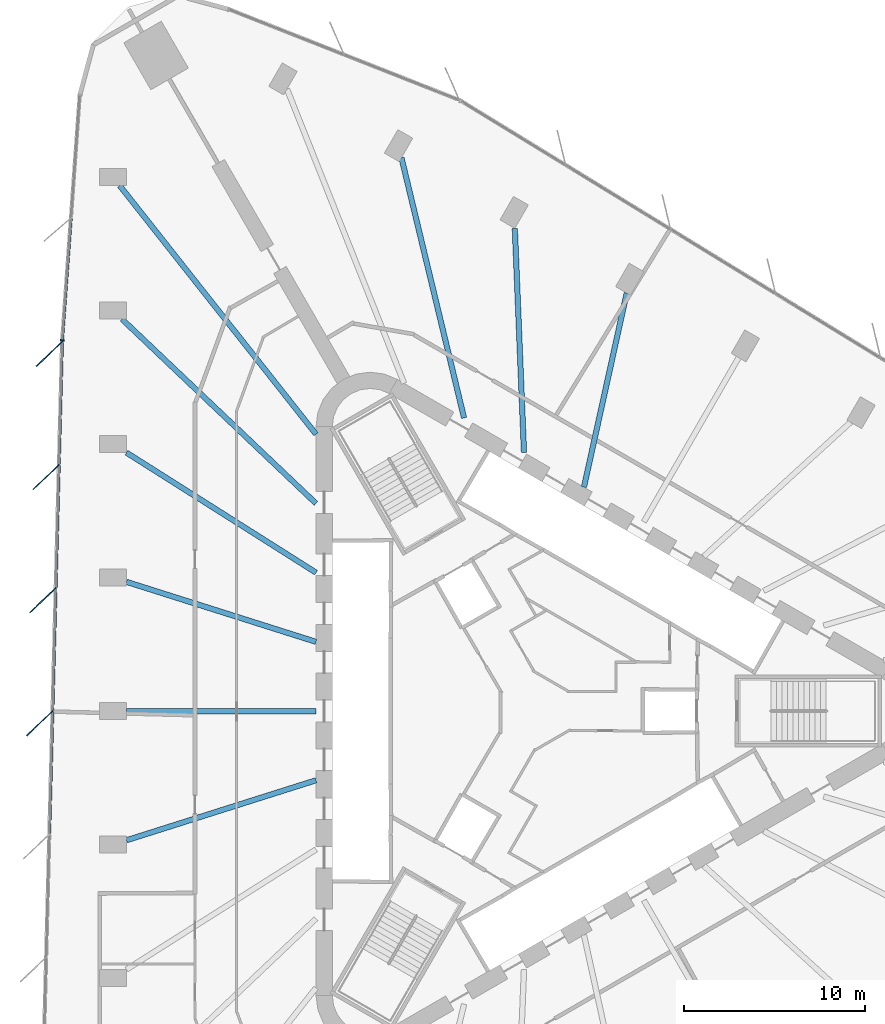
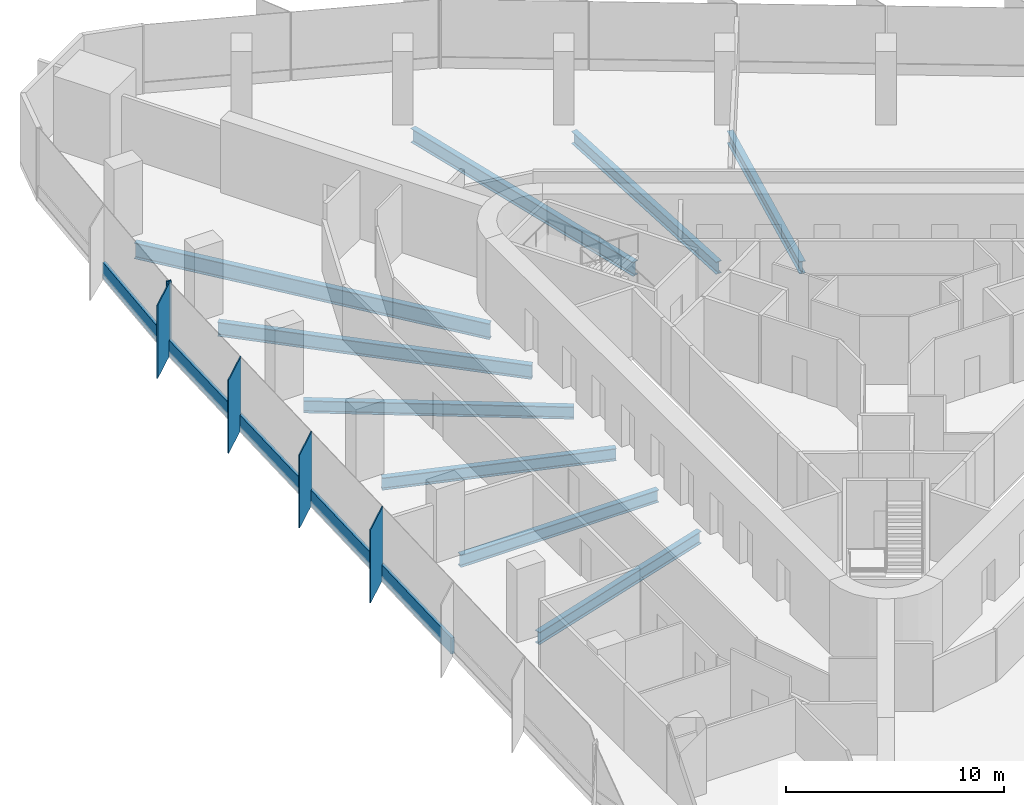
# One storey, part 4 of 13: 10 members, 9 beams, 2 elements without a shape of their own.
"""IFC4 building model written with IfcOpenShell, lengths in metres."""

from ifc_helpers import new_model, si_unit, direction, frame, origin, origin_2d, place, context, subcontext, project, spatial, rectangle, i_section, extrude, material, material_profile, profile_set, type_object, element, aggregate, save


model = new_model("IFC4")

# Units and contexts
model_context = context("Model", 3, precision=1e-05, world=origin(), true_north=direction((0.0, 1.0)))
body_context = subcontext(model_context, "Body", "Model", "MODEL_VIEW")
ifc_project = project(units=[si_unit("LENGTHUNIT", "METRE"), si_unit("AREAUNIT", "SQUARE_METRE"), si_unit("VOLUMEUNIT", "CUBIC_METRE"), si_unit("PLANEANGLEUNIT", "RADIAN"), si_unit("MASSUNIT", "GRAM", prefix="KILO")], contexts=[model_context])

# Site, building, storey
site_placement = place(None, origin())
site = spatial("IfcSite", under=ifc_project, at=site_placement, CompositionType="ELEMENT")
building_placement = place(site_placement, origin())
building = spatial("IfcBuilding", under=site, at=building_placement, Name="Tanit Gate Tower", CompositionType="ELEMENT")
storey_placement = place(building_placement, frame((0.0, 0.0, 61.89990234375)))
storey = spatial("IfcBuildingStorey", under=building, at=storey_placement, Name="L11", CompositionType="ELEMENT", Elevation=61.89990234375)

# Curtain wall, members
ifc_material_1 = material(Name="Aluminium bronze anodised and glass", Category="aluminium")
curtain_wall_type = type_object("IfcCurtainWallType", Name="Curtain wall typical low", PredefinedType="NOTDEFINED", material=ifc_material_1)
curtain_wall_1_placement = place(storey_placement, origin())
curtain_wall_1 = element("IfcCurtainWall", 1, at=curtain_wall_1_placement, inside=storey, type_object=curtain_wall_type, Name="Curtain wall L11 W2", PredefinedType="NOTDEFINED")
ifc_material_2 = material(Name="Aluminium bronze anodised", Category="aluminium")
ifc_material_profile_1 = material_profile(ifc_material_2, rectangle(XDim=2.0, YDim=0.055908203125, at=origin_2d()), Name="56x2000 bronze fin mullion")
ifc_profile_set_1 = profile_set([ifc_material_profile_1], Name="Aluminium bronze anodised")
member_type_1 = type_object("IfcMemberType", Name="FIN MULLION 56x2000 bronze", PredefinedType="MULLION", material=ifc_profile_set_1)
member_1_placement = place(storey_placement, frame((-26.86279296875, 19.77392578125, -0.2998046875), z_axis=(0.0, 0.0, 1.0), x_axis=(0.725200158595, 0.688538110764, 0.0)))
member_1 = element("IfcMember", 2, at=member_1_placement, type_object=member_type_1, Name="Fin mullion L11 W2.1", PredefinedType="MULLION", context=body_context, shape_type="SweptSolid", body=[
    extrude(rectangle(XDim=2.0, YDim=0.055908203125, at=origin_2d()), origin(), (0.0, 0.0, 1.0), 4.099853515625),
])
member_2_placement = place(storey_placement, frame((-27.039306640625, 12.95849609375, -0.2998046875), z_axis=(0.0, 0.0, 1.0), x_axis=(0.725200158595, 0.688538110764, 0.0)))
member_2 = element("IfcMember", 3, at=member_2_placement, type_object=member_type_1, Name="Fin mullion L11 W2.2", PredefinedType="MULLION", context=body_context, shape_type="SweptSolid", body=[
    extrude(rectangle(XDim=2.0, YDim=0.055908203125, at=origin_2d()), origin(), (0.0, 0.0, 1.0), 4.099853515625),
])
member_3_placement = place(storey_placement, frame((-27.216064453125, 6.14306640625, -0.2998046875), z_axis=(0.0, 0.0, 1.0), x_axis=(0.725200158595, 0.688538110764, 0.0)))
member_3 = element("IfcMember", 4, at=member_3_placement, type_object=member_type_1, Name="Fin mullion L11 W2.3", PredefinedType="MULLION", context=body_context, shape_type="SweptSolid", body=[
    extrude(rectangle(XDim=2.0, YDim=0.055908203125, at=origin_2d()), origin(), (0.0, 0.0, 1.0), 4.099853515625),
])
member_4_placement = place(storey_placement, frame((-27.392822265625, -0.672119140625, -0.2998046875), z_axis=(0.0, 0.0, 1.0), x_axis=(0.725200158595, 0.688538110764, 0.0)))
member_4 = element("IfcMember", 5, at=member_4_placement, type_object=member_type_1, Name="Fin mullion L11 W2.4", PredefinedType="MULLION", context=body_context, shape_type="SweptSolid", body=[
    extrude(rectangle(XDim=2.0, YDim=0.055908203125, at=origin_2d()), origin(), (0.0, 0.0, 1.0), 4.099853515625),
])

# Curtain wall, member
curtain_wall_2_placement = place(storey_placement, origin())
curtain_wall_2 = element("IfcCurtainWall", 6, at=curtain_wall_2_placement, inside=storey, type_object=curtain_wall_type, Name="Curtain wall L11 W1", PredefinedType="NOTDEFINED")
ifc_material_3 = material(Name="Aluminium bronze anodised", Category="aluminium")
ifc_material_profile_2 = material_profile(ifc_material_3, rectangle(XDim=0.239990234375, YDim=0.080078125, at=origin_2d()), Name="80x240 bronze mullion")
ifc_profile_set_2 = profile_set([ifc_material_profile_2], Name="Aluminium bronze anodised")
member_type_2 = type_object("IfcMemberType", Name="Mullion 80x240 typical low", PredefinedType="MULLION", material=ifc_profile_set_2)
member_5_placement = place(storey_placement, frame((-26.14990234375, 20.52685546875, -0.2998046875), z_axis=(0.0, 0.0, 1.0), x_axis=(0.997446413734, -0.07141884716, 0.0)))
member_5 = element("IfcMember", 7, at=member_5_placement, type_object=member_type_2, Name="Mullion L11 W1.3", PredefinedType="MULLION", context=body_context, shape_type="SweptSolid", body=[
    extrude(rectangle(XDim=0.239990234375, YDim=0.080078125, at=origin_2d()), origin(), (0.0, 0.0, 1.0), 4.099853515625),
])

# Beams
ifc_material_4 = material(Name="Steel S355", Category="steel")
ifc_material_profile_3 = material_profile(ifc_material_4, i_section(OverallWidth=0.300048828125, OverallDepth=0.68994140625, WebThickness=0.014404296875, FlangeThickness=0.027099609375, FilletRadius=0.027099609375, at=origin_2d()), Name="HEA 700")
ifc_profile_set_3 = profile_set([ifc_material_profile_3], Name="Steel S355")
beam_type_1 = type_object("IfcBeamType", Name="RADIAL GIRDER HEA 700 S355", PredefinedType="BEAM", material=ifc_profile_set_3)
for number, where, z_axis, x_axis, name in (
    (8, (-22.594482421875, -7.15380859375, -0.64501953125), (0.953357440279, 0.301843653346, 0.0), (-0.301843653346, 0.953357440279, 0.0), "RADIAL GIRDER"),
    (9, (5.101806640625, 23.144287109375, -0.64501953125), (-0.215262511862, -0.976556220085, 0.0), (0.976556220085, -0.215262511862, 0.0), "RADIAL GIRDER"),
):
    element("IfcBeam", number, at=place(storey_placement, frame(where, z_axis=z_axis, x_axis=x_axis)), inside=storey, type_object=beam_type_1, Name=name, PredefinedType="BEAM", context=body_context, shape_type="SweptSolid", body=[
        extrude(i_section(OverallWidth=0.300048828125, OverallDepth=0.68994140625, WebThickness=0.014404296875, FlangeThickness=0.027099609375, FilletRadius=0.027099609375, at=origin_2d()), origin(), (0.0, 0.0, 1.0), 11.005859375),
    ])
for number, where, z_axis, x_axis, name in (
    (10, (-1.09375, 26.721435546875, -0.64501953125), (0.040888907348, -0.999163698928, 0.0), (0.999163698928, 0.040888907348, 0.0), "RADIAL GIRDER"),
    (11, (-22.594482421875, 14.30810546875, -0.64501953125), (0.844843658907, -0.535013263392, 0.0), (0.535013263392, 0.844843658907, 0.0), "RADIAL GIRDER"),
):
    element("IfcBeam", number, at=place(storey_placement, frame(where, z_axis=z_axis, x_axis=x_axis)), inside=storey, type_object=beam_type_1, Name=name, PredefinedType="BEAM", context=body_context, shape_type="SweptSolid", body=[
        extrude(i_section(OverallWidth=0.300048828125, OverallDepth=0.68994140625, WebThickness=0.014404296875, FlangeThickness=0.027099609375, FilletRadius=0.027099609375, at=origin_2d()), origin(), (0.0, 0.0, 1.0), 12.41943359375),
    ])
beam_1_placement = place(storey_placement, frame((-22.594482421875, 7.15380859375, -0.64501953125), z_axis=(0.953357440279, -0.301843653346, 0.0), x_axis=(0.301843653346, 0.953357440279, 0.0)))
element("IfcBeam", 12, at=beam_1_placement, inside=storey, type_object=beam_type_1, Name="RADIAL GIRDER", PredefinedType="BEAM", context=body_context, shape_type="SweptSolid", body=[
    extrude(i_section(OverallWidth=0.300048828125, OverallDepth=0.68994140625, WebThickness=0.014404296875, FlangeThickness=0.027099609375, FilletRadius=0.027099609375, at=origin_2d()), origin(), (0.0, 0.0, 1.0), 11.005859375),
])
beam_2_placement = place(storey_placement, frame((-22.594482421875, 0.0, -0.64501953125), z_axis=(1.0, 0.0, 0.0), x_axis=(0.0, 1.0, 0.0)))
element("IfcBeam", 13, at=beam_2_placement, inside=storey, type_object=beam_type_1, Name="RADIAL GIRDER", PredefinedType="BEAM", context=body_context, shape_type="SweptSolid", body=[
    extrude(i_section(OverallWidth=0.300048828125, OverallDepth=0.68994140625, WebThickness=0.014404296875, FlangeThickness=0.027099609375, FilletRadius=0.027099609375, at=origin_2d()), origin(), (0.0, 0.0, 1.0), 10.492431640625),
])
ifc_material_5 = material(Name="Steel S355", Category="steel")
ifc_material_profile_4 = material_profile(ifc_material_5, i_section(OverallWidth=0.300048828125, OverallDepth=0.7900390625, WebThickness=0.014892578125, FlangeThickness=0.028076171875, FilletRadius=0.030029296875, at=origin_2d()), Name="HEA 800")
ifc_profile_set_4 = profile_set([ifc_material_profile_4], Name="Steel S355")
beam_type_2 = type_object("IfcBeamType", Name="RADIAL GIRDER HEA 800 S355", PredefinedType="BEAM", material=ifc_profile_set_4)
beam_3_placement = place(storey_placement, frame((-7.3701171875, 30.633544921875, -0.69482421875), z_axis=(0.233918851889, -0.972256124039, 0.0), x_axis=(0.972256124039, 0.233918851889, 0.0)))
element("IfcBeam", 14, at=beam_3_placement, inside=storey, type_object=beam_type_2, Name="RADIAL GIRDER", PredefinedType="BEAM", context=body_context, shape_type="SweptSolid", body=[
    extrude(i_section(OverallWidth=0.300048828125, OverallDepth=0.7900390625, WebThickness=0.014892578125, FlangeThickness=0.028076171875, FilletRadius=0.030029296875, at=origin_2d()), origin(), (0.0, 0.0, 1.0), 14.81640625),
])
beam_4_placement = place(storey_placement, frame((-22.844482421875, 21.69921875, -0.69482421875), z_axis=(0.725048389389, -0.688697925831, 0.0), x_axis=(0.688697925831, 0.725048389389, 0.0)))
element("IfcBeam", 15, at=beam_4_placement, inside=storey, type_object=beam_type_2, Name="RADIAL GIRDER", PredefinedType="BEAM", context=body_context, shape_type="SweptSolid", body=[
    extrude(i_section(OverallWidth=0.300048828125, OverallDepth=0.7900390625, WebThickness=0.014892578125, FlangeThickness=0.028076171875, FilletRadius=0.030029296875, at=origin_2d()), origin(), (0.0, 0.0, 1.0), 14.816162109375),
])
ifc_material_6 = material(Name="Steel S355", Category="steel")
ifc_material_profile_5 = material_profile(ifc_material_6, i_section(OverallWidth=0.300048828125, OverallDepth=0.889892578125, WebThickness=0.01611328125, FlangeThickness=0.030029296875, FilletRadius=0.030029296875, at=origin_2d()), Name="HEA 900")
ifc_profile_set_5 = profile_set([ifc_material_profile_5], Name="Steel S355")
beam_type_3 = type_object("IfcBeamType", Name="RADIAL GIRDER HEA 900 S355", PredefinedType="BEAM", material=ifc_profile_set_5)
beam_5_placement = place(storey_placement, frame((-22.969482421875, 29.0908203125, -0.744873046875), z_axis=(0.619692585411, -0.784844634043, 0.0), x_axis=(0.784844634043, 0.619692585411, 0.0)))
element("IfcBeam", 16, at=beam_5_placement, inside=storey, type_object=beam_type_3, Name="RADIAL GIRDER", PredefinedType="BEAM", context=body_context, shape_type="SweptSolid", body=[
    extrude(i_section(OverallWidth=0.300048828125, OverallDepth=0.889892578125, WebThickness=0.01611328125, FlangeThickness=0.030029296875, FilletRadius=0.030029296875, at=origin_2d()), origin(), (0.0, 0.0, 1.0), 17.536865234375),
])

# Member
ifc_material_7 = material(Name="Aluminium bronze anodised", Category="aluminium")
ifc_material_profile_6 = material_profile(ifc_material_7, rectangle(XDim=0.159912109375, YDim=0.89990234375, at=origin_2d()), Name="160x900 bronze transom")
ifc_profile_set_6 = profile_set([ifc_material_profile_6], Name="Aluminium bronze anodised")
member_type_3 = type_object("IfcMemberType", Name="Transom 160x900 typical low", PredefinedType="USERDEFINED", material=ifc_profile_set_6)
member_6_placement = place(storey_placement, frame((-25.667236328125, 27.270751953125, 0.150146484375), z_axis=(-0.071412256994, -0.997446885579, 0.0), x_axis=(0.997446885579, -0.071412256994, 0.0)))
member_6 = element("IfcMember", 17, at=member_6_placement, type_object=member_type_3, Name="Transom L11 W1.2", ObjectType="TRANSOM", PredefinedType="USERDEFINED", context=body_context, shape_type="SweptSolid", body=[
    extrude(rectangle(XDim=0.159912109375, YDim=0.89990234375, at=origin_2d()), origin(), (0.0, 0.0, 1.0), 6.72119140625),
])

aggregate(curtain_wall_2, [member_5, member_6])

member_7_placement = place(storey_placement, frame((-26.155029296875, 20.406982421875, 0.150146484375), z_axis=(-0.025907427148, -0.999664346278, 0.0), x_axis=(0.999664346278, -0.025907427148, 0.0)))
member_7 = element("IfcMember", 18, at=member_7_placement, type_object=member_type_3, Name="Transom L11 W2.1", ObjectType="TRANSOM", PredefinedType="USERDEFINED", context=body_context, shape_type="SweptSolid", body=[
    extrude(rectangle(XDim=0.159912109375, YDim=0.89990234375, at=origin_2d()), origin(), (0.0, 0.0, 1.0), 6.73779296875),
])

member_8_placement = place(storey_placement, frame((-26.331787109375, 13.591552734375, 0.150146484375), z_axis=(-0.025908365601, -0.999664321956, 0.0), x_axis=(0.999664321956, -0.025908365601, 0.0)))
member_8 = element("IfcMember", 19, at=member_8_placement, type_object=member_type_3, Name="Transom L11 W2.2", ObjectType="TRANSOM", PredefinedType="USERDEFINED", context=body_context, shape_type="SweptSolid", body=[
    extrude(rectangle(XDim=0.159912109375, YDim=0.89990234375, at=origin_2d()), origin(), (0.0, 0.0, 1.0), 6.737548828125),
])

member_9_placement = place(storey_placement, frame((-26.50830078125, 6.776123046875, 0.150146484375), z_axis=(-0.025944576703, -0.999663382814, 0.0), x_axis=(0.999663382814, -0.025944576703, 0.0)))
member_9 = element("IfcMember", 20, at=member_9_placement, type_object=member_type_3, Name="Transom L11 W2.3", ObjectType="TRANSOM", PredefinedType="USERDEFINED", context=body_context, shape_type="SweptSolid", body=[
    extrude(rectangle(XDim=0.159912109375, YDim=0.89990234375, at=origin_2d()), origin(), (0.0, 0.0, 1.0), 6.737548828125),
])

member_10_placement = place(storey_placement, frame((-26.68505859375, -0.039306640625, 0.150146484375), z_axis=(-0.025944576703, -0.999663382814, 0.0), x_axis=(0.999663382814, -0.025944576703, 0.0)))
member_10 = element("IfcMember", 21, at=member_10_placement, type_object=member_type_3, Name="Transom L11 W2.4", ObjectType="TRANSOM", PredefinedType="USERDEFINED", context=body_context, shape_type="SweptSolid", body=[
    extrude(rectangle(XDim=0.159912109375, YDim=0.89990234375, at=origin_2d()), origin(), (0.0, 0.0, 1.0), 6.737548828125),
])

aggregate(curtain_wall_1, [member_1, member_2, member_3, member_4, member_7, member_8, member_9, member_10])

save(model, "model.ifc")
